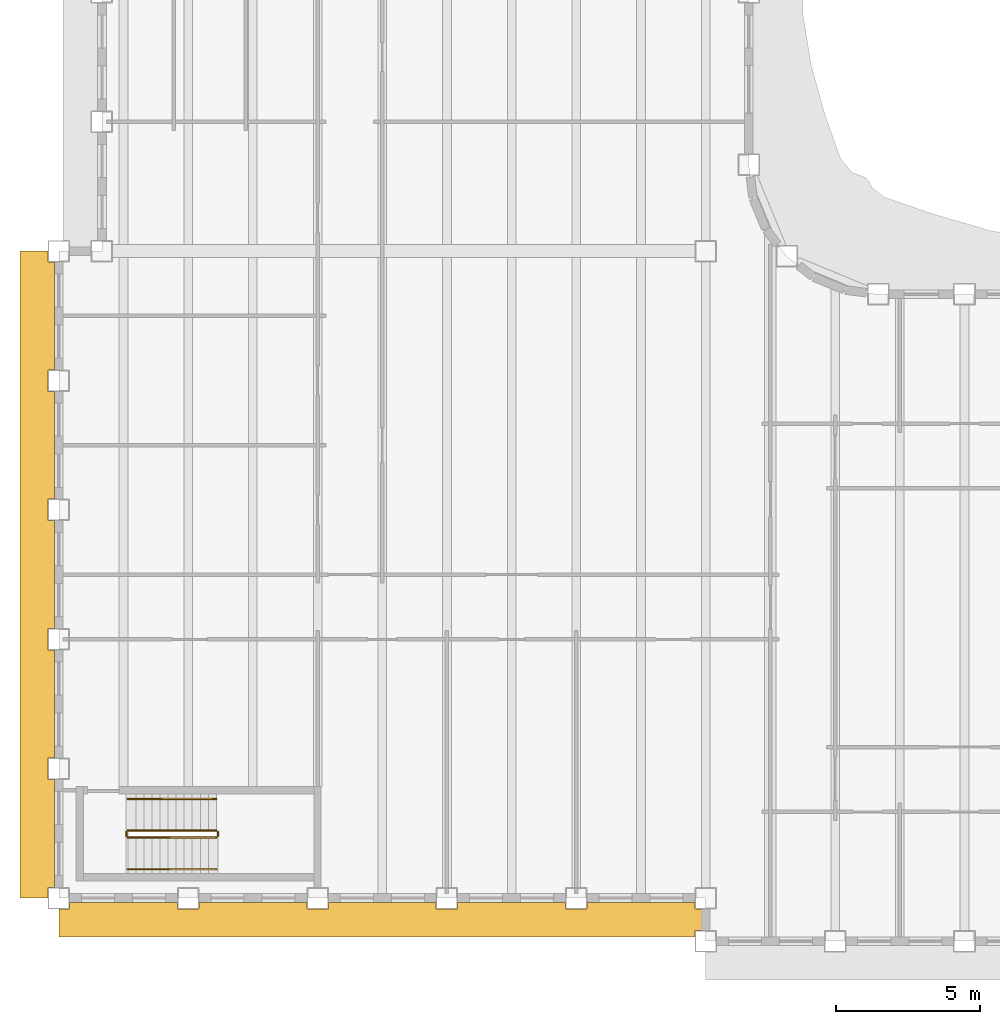
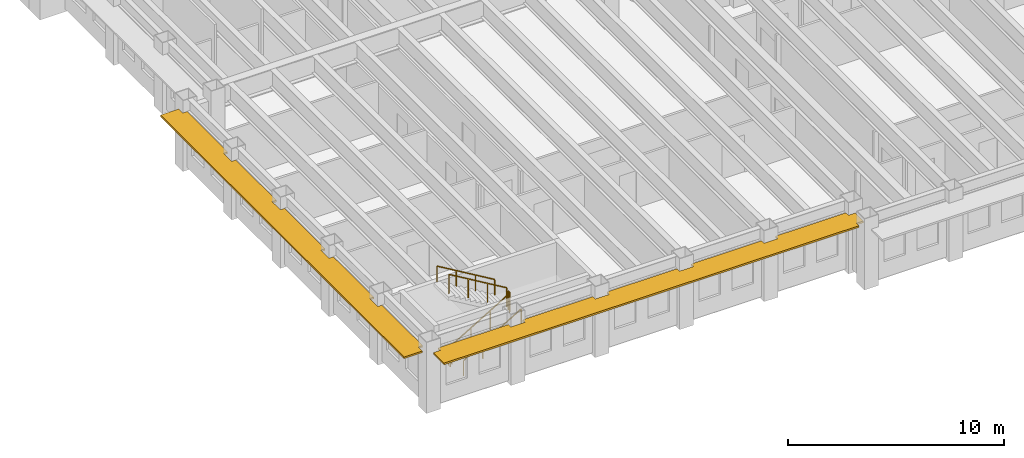
# One storey, part 12 of 17: 6 railings, 2 shading devices.
"""IFC4 building model written with IfcOpenShell, lengths in metres."""

from ifc_helpers import new_model, si_unit, direction, frame, origin, origin_2d, place, context, subcontext, project, spatial, polyline, rectangle, outline, extrude, material, layer, layer_set, type_object, element, save


model = new_model("IFC4")

# Units and contexts
model_context = context("Model", 3, precision=1e-05, world=origin(), true_north=direction((0.0, 1.0)))
body_context = subcontext(model_context, "Body", "Model", "MODEL_VIEW")
ifc_project = project(units=[si_unit("LENGTHUNIT", "METRE"), si_unit("AREAUNIT", "SQUARE_METRE"), si_unit("VOLUMEUNIT", "CUBIC_METRE"), si_unit("PLANEANGLEUNIT", "RADIAN"), si_unit("MASSUNIT", "GRAM", prefix="KILO")], contexts=[model_context])

# Site, building, storey
site_placement = place(None, origin())
site = spatial("IfcSite", under=ifc_project, at=site_placement, CompositionType="ELEMENT")
building_placement = place(site_placement, origin())
building = spatial("IfcBuilding", under=site, at=building_placement, Name="Sennacour Bend Tower", CompositionType="ELEMENT")
storey_placement = place(building_placement, frame((0.0, 0.0, 195.0)))
storey = spatial("IfcBuildingStorey", under=building, at=storey_placement, Name="L44", CompositionType="ELEMENT", Elevation=195.0)

# Railings
ifc_material_1 = material(Name="Stainless steel", Category="steel")
railing_type_1 = type_object("IfcRailingType", Name="RL-GUARD-1100", PredefinedType="GUARDRAIL", material=ifc_material_1)
railing_1_placement = place(storey_placement, frame((2.39990234375, 2.10009765625, 0.166748046875)))
element("IfcRailing", 1, at=railing_1_placement, inside=storey, type_object=railing_type_1, Name="L44 SK1 stair guard 1", PredefinedType="GUARDRAIL", context=body_context, shape_type="SweptSolid", body=[
    extrude(rectangle(XDim=0.048095703125, YDim=0.048095703125, at=origin_2d()), frame((0.0, 0.0, 1.076171875), z_axis=(0.859308565015, 0.0, 0.511457515432), x_axis=(0.0, 1.0, 0.0)), (0.0, 0.0, 1.0), 3.58447265625),
    extrude(rectangle(XDim=0.0419921875, YDim=0.0419921875, at=origin_2d()), origin(), (0.0, 0.0, 1.0), 1.052001953125),
    extrude(rectangle(XDim=0.0419921875, YDim=0.0419921875, at=origin_2d()), frame((1.026611328125, 0.0, 0.611083984375)), (0.0, 0.0, 1.0), 1.052001953125),
    extrude(rectangle(XDim=0.0419921875, YDim=0.0419921875, at=origin_2d()), frame((2.053466796875, 0.0, 1.22216796875)), (0.0, 0.0, 1.0), 1.052001953125),
    extrude(rectangle(XDim=0.0419921875, YDim=0.0419921875, at=origin_2d()), frame((3.080078125, 0.0, 1.833251953125)), (0.0, 0.0, 1.0), 1.052001953125),
])
railing_2_placement = place(storey_placement, frame((5.530029296875, 2.14990234375, 2.0)))
element("IfcRailing", 2, at=railing_2_placement, inside=storey, type_object=railing_type_1, Name="L44 SK1 stair guard 2", PredefinedType="GUARDRAIL", context=body_context, shape_type="SweptSolid", body=[
    extrude(rectangle(XDim=0.048095703125, YDim=0.048095703125, at=origin_2d()), frame((0.0, 0.0, 1.076171875), z_axis=(0.0, 1.0, 0.0), x_axis=(-1.0, 0.0, 0.0)), (0.0, 0.0, 1.0), 0.150146484375),
    extrude(rectangle(XDim=0.0419921875, YDim=0.0419921875, at=origin_2d()), origin(), (0.0, 0.0, 1.0), 1.052001953125),
    extrude(rectangle(XDim=0.0419921875, YDim=0.0419921875, at=origin_2d()), frame((0.0, 0.150146484375, 0.0)), (0.0, 0.0, 1.0), 1.052001953125),
])
railing_3_placement = place(storey_placement, frame((5.47998046875, 2.35009765625, 2.166748046875)))
element("IfcRailing", 3, at=railing_3_placement, inside=storey, type_object=railing_type_1, Name="L44 SK1 stair guard 3", PredefinedType="GUARDRAIL", context=body_context, shape_type="SweptSolid", body=[
    extrude(rectangle(XDim=0.048095703125, YDim=0.048095703125, at=origin_2d()), frame((0.0, 0.0, 1.076171875), z_axis=(-0.859308565015, 0.0, 0.511457515432), x_axis=(0.0, -1.0, 0.0)), (0.0, 0.0, 1.0), 3.58447265625),
    extrude(rectangle(XDim=0.0419921875, YDim=0.0419921875, at=origin_2d()), origin(), (0.0, 0.0, 1.0), 1.052001953125),
    extrude(rectangle(XDim=0.0419921875, YDim=0.0419921875, at=origin_2d()), frame((-1.026611328125, 0.0, 0.611083984375)), (0.0, 0.0, 1.0), 1.052001953125),
    extrude(rectangle(XDim=0.0419921875, YDim=0.0419921875, at=origin_2d()), frame((-2.053466796875, 0.0, 1.22216796875)), (0.0, 0.0, 1.0), 1.052001953125),
    extrude(rectangle(XDim=0.0419921875, YDim=0.0419921875, at=origin_2d()), frame((-3.080078125, 0.0, 1.833251953125)), (0.0, 0.0, 1.0), 1.052001953125),
])
railing_4_placement = place(storey_placement, frame((2.35009765625, 2.14990234375, 0.0)))
element("IfcRailing", 4, at=railing_4_placement, inside=storey, type_object=railing_type_1, Name="L44 SK1 stair guard 4", PredefinedType="GUARDRAIL", context=body_context, shape_type="SweptSolid", body=[
    extrude(rectangle(XDim=0.048095703125, YDim=0.048095703125, at=origin_2d()), frame((0.0, 0.0, 1.076171875), z_axis=(0.0, 1.0, 0.0), x_axis=(-1.0, 0.0, 0.0)), (0.0, 0.0, 1.0), 0.150146484375),
    extrude(rectangle(XDim=0.0419921875, YDim=0.0419921875, at=origin_2d()), origin(), (0.0, 0.0, 1.0), 1.052001953125),
    extrude(rectangle(XDim=0.0419921875, YDim=0.0419921875, at=origin_2d()), frame((0.0, 0.150146484375, 0.0)), (0.0, 0.0, 1.0), 1.052001953125),
])
railing_type_2 = type_object("IfcRailingType", Name="RL-HANDRAIL-900", PredefinedType="HANDRAIL", material=ifc_material_1)
railing_5_placement = place(storey_placement, frame((2.39990234375, 1.0, 0.166748046875)))
element("IfcRailing", 5, at=railing_5_placement, inside=storey, type_object=railing_type_2, Name="L44 SK1 stair handrail 1", PredefinedType="HANDRAIL", context=body_context, shape_type="SweptSolid", body=[
    extrude(rectangle(XDim=0.048095703125, YDim=0.048095703125, at=origin_2d()), frame((0.0, 0.0, 0.8759765625), z_axis=(0.859308565015, 0.0, 0.511457515432), x_axis=(0.0, 1.0, 0.0)), (0.0, 0.0, 1.0), 3.58447265625),
    extrude(rectangle(XDim=0.0419921875, YDim=0.0419921875, at=origin_2d()), origin(), (0.0, 0.0, 1.0), 0.851806640625),
    extrude(rectangle(XDim=0.0419921875, YDim=0.0419921875, at=origin_2d()), frame((1.026611328125, 0.0, 0.611083984375)), (0.0, 0.0, 1.0), 0.851806640625),
    extrude(rectangle(XDim=0.0419921875, YDim=0.0419921875, at=origin_2d()), frame((2.053466796875, 0.0, 1.22216796875)), (0.0, 0.0, 1.0), 0.851806640625),
    extrude(rectangle(XDim=0.0419921875, YDim=0.0419921875, at=origin_2d()), frame((3.080078125, 0.0, 1.833251953125)), (0.0, 0.0, 1.0), 0.851806640625),
])
railing_6_placement = place(storey_placement, frame((5.47998046875, 3.449951171875, 2.166748046875)))
element("IfcRailing", 6, at=railing_6_placement, inside=storey, type_object=railing_type_2, Name="L44 SK1 stair handrail 2", PredefinedType="HANDRAIL", context=body_context, shape_type="SweptSolid", body=[
    extrude(rectangle(XDim=0.048095703125, YDim=0.048095703125, at=origin_2d()), frame((0.0, 0.0, 0.8759765625), z_axis=(-0.859308565015, 0.0, 0.511457515432), x_axis=(0.0, -1.0, 0.0)), (0.0, 0.0, 1.0), 3.58447265625),
    extrude(rectangle(XDim=0.0419921875, YDim=0.0419921875, at=origin_2d()), origin(), (0.0, 0.0, 1.0), 0.851806640625),
    extrude(rectangle(XDim=0.0419921875, YDim=0.0419921875, at=origin_2d()), frame((-1.026611328125, 0.0, 0.611083984375)), (0.0, 0.0, 1.0), 0.851806640625),
    extrude(rectangle(XDim=0.0419921875, YDim=0.0419921875, at=origin_2d()), frame((-2.053466796875, 0.0, 1.22216796875)), (0.0, 0.0, 1.0), 0.851806640625),
    extrude(rectangle(XDim=0.0419921875, YDim=0.0419921875, at=origin_2d()), frame((-3.080078125, 0.0, 1.833251953125)), (0.0, 0.0, 1.0), 0.851806640625),
])

# Shading devices
ifc_material_2 = material(Name="Bronze anodised aluminium", Category="aluminium")
ifc_layer = layer(ifc_material_2, 0.10009765625, Name="Bronze anodised aluminium", Category="aluminium")
ifc_layer_set = layer_set([ifc_layer], Name="Bronze anodised aluminium")
shading_device_type = type_object("IfcShadingDeviceType", Name="SUNSHADE BAND STRAIGHT", PredefinedType="USERDEFINED", material=ifc_layer_set)
shading_device_1_placement = place(storey_placement, frame((0.0, 0.0, 3.056884765625)))
element("IfcShadingDevice", 7, at=shading_device_1_placement, inside=storey, type_object=shading_device_type, Name="Sunshade band L44 K outer face", ObjectType="SUNSHADE", PredefinedType="USERDEFINED", context=body_context, shape_type="SweptSolid", body=[
    extrude(outline(polyline([(-0.14990234375, 18.375), (-0.375, 18.375), (-0.375, 17.625), (-0.14990234375, 17.625), (-0.14990234375, 13.875), (-0.375, 13.875), (-0.375, 13.125), (-0.14990234375, 13.125), (-0.14990234375, 9.375), (-0.375, 9.375), (-0.375, 8.625), (-0.14990234375, 8.625), (-0.14990234375, 4.875), (-0.375, 4.875), (-0.375, 4.125), (-0.14990234375, 4.125), (-0.14990234375, 0.375), (-0.375, 0.375), (-0.375, 0.0), (-1.35009765625, 0.0), (-1.35009765625, 22.5), (-0.375, 22.5), (-0.375, 22.125), (-0.14990234375, 22.125), (-0.14990234375, 18.375)])), origin(), (0.0, 0.0, 1.0), 0.10009765625),
])
shading_device_2_placement = place(storey_placement, frame((0.0, 0.0, 3.056884765625)))
element("IfcShadingDevice", 8, at=shading_device_2_placement, inside=storey, type_object=shading_device_type, Name="Sunshade band L44 K outer face", ObjectType="SUNSHADE", PredefinedType="USERDEFINED", context=body_context, shape_type="SweptSolid", body=[
    extrude(outline(polyline([(4.125, -0.14990234375), (4.125, -0.375), (4.875, -0.375), (4.875, -0.14990234375), (8.625, -0.14990234375), (8.625, -0.375), (9.375, -0.375), (9.375, -0.14990234375), (13.125, -0.14990234375), (13.125, -0.375), (13.875, -0.375), (13.875, -0.14990234375), (17.625, -0.14990234375), (17.625, -0.375), (18.375, -0.375), (18.375, -0.14990234375), (22.125, -0.14990234375), (22.125, -0.375), (22.5, -0.375), (22.5, -1.125), (22.125, -1.125), (22.125, -1.35009765625), (0.0, -1.35009765625), (0.0, -0.375), (0.375, -0.375), (0.375, -0.14990234375), (4.125, -0.14990234375)])), origin(), (0.0, 0.0, 1.0), 0.10009765625),
])

save(model, "model.ifc")
